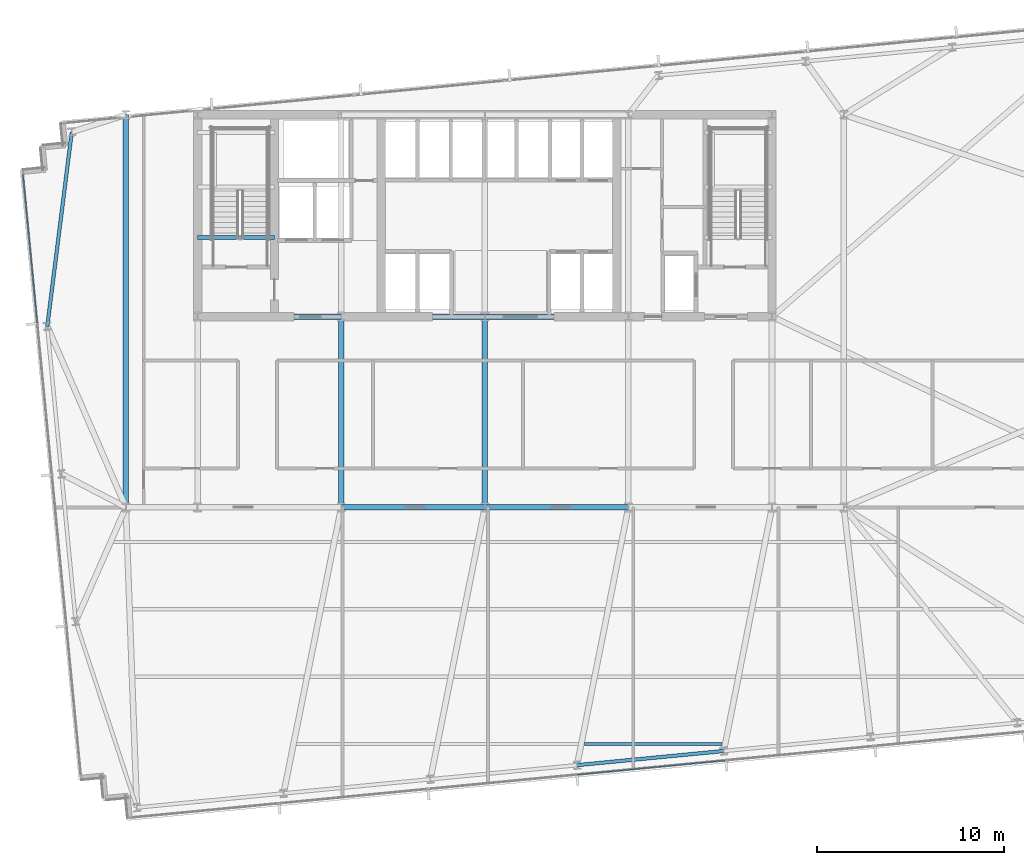
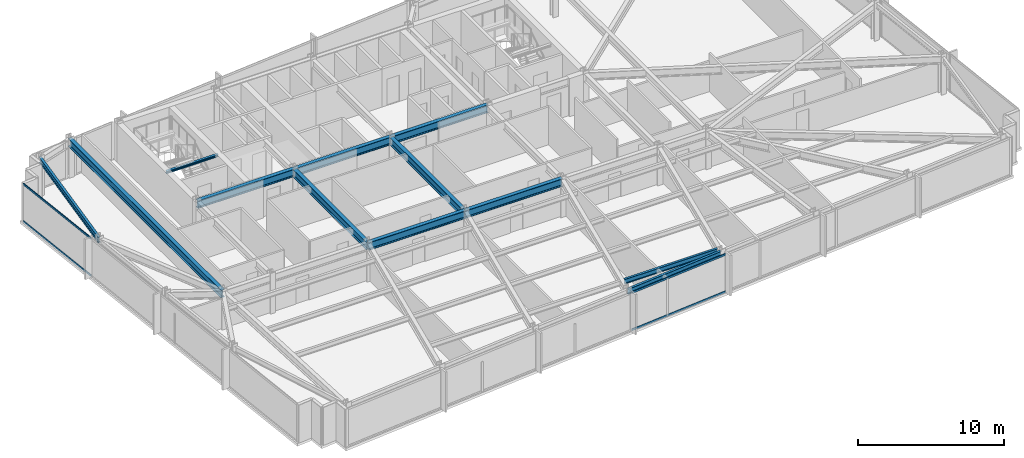
# One storey, part 9 of 32: 12 beams, 4 members, 2 elements without a shape of their own.
"""IFC4 building model written with IfcOpenShell, lengths in metres."""

from ifc_helpers import new_model, si_unit, direction, frame, origin, origin_2d, place, context, subcontext, project, spatial, hollow_rectangle, i_section, extrude, material, material_profile, profile_set, type_object, element, aggregate, save


model = new_model("IFC4")

# Units and contexts
model_context = context("Model", 3, precision=1e-05, world=origin(), true_north=direction((0.0, 1.0)))
body_context = subcontext(model_context, "Body", "Model", "MODEL_VIEW")
ifc_project = project(units=[si_unit("LENGTHUNIT", "METRE"), si_unit("AREAUNIT", "SQUARE_METRE"), si_unit("VOLUMEUNIT", "CUBIC_METRE"), si_unit("PLANEANGLEUNIT", "RADIAN"), si_unit("MASSUNIT", "GRAM", prefix="KILO")], contexts=[model_context])

# Site, building, storey
site_placement = place(None, origin())
site = spatial("IfcSite", under=ifc_project, at=site_placement, CompositionType="ELEMENT")
building_placement = place(site_placement, origin())
building = spatial("IfcBuilding", under=site, at=building_placement, Name="Yelkora Congress Tower", CompositionType="ELEMENT")
storey_placement = place(building_placement, frame((0.0, 0.0, 93.10009765625)))
storey = spatial("IfcBuildingStorey", under=building, at=storey_placement, Name="L24", CompositionType="ELEMENT", Elevation=93.10009765625)

# Beams
ifc_material_1 = material(Name="Steel S355J2", Category="steel")
ifc_material_profile_1 = material_profile(ifc_material_1, i_section(OverallWidth=0.300048828125, OverallDepth=0.64990234375, WebThickness=0.01611328125, FlangeThickness=0.031005859375, FilletRadius=0.027099609375, at=origin_2d()), Name="HEB 650")
ifc_profile_set_1 = profile_set([ifc_material_profile_1], Name="Steel S355J2")
beam_type_1 = type_object("IfcBeamType", Name="BM-GIRD-HEB650", PredefinedType="BEAM", material=ifc_profile_set_1)
beam_1_placement = place(storey_placement, frame((30.719970703125, 25.199951171875, 2.85498046875), z_axis=(1.0, 0.0, 0.0), x_axis=(0.0, 1.0, 0.0)))
element("IfcBeam", 1, at=beam_1_placement, inside=storey, type_object=beam_type_1, Name="L24 Spine Grid D Girder 3", PredefinedType="BEAM", context=body_context, shape_type="SweptSolid", body=[
    extrude(i_section(OverallWidth=0.300048828125, OverallDepth=0.64990234375, WebThickness=0.01611328125, FlangeThickness=0.031005859375, FilletRadius=0.027099609375, at=origin_2d()), origin(), (0.0, 0.0, 1.0), 7.679931640625),
])
beam_2_placement = place(storey_placement, frame((38.39990234375, 25.199951171875, 2.85498046875), z_axis=(1.0, 0.0, 0.0), x_axis=(0.0, 1.0, 0.0)))
element("IfcBeam", 2, at=beam_2_placement, inside=storey, type_object=beam_type_1, Name="L24 Spine Grid D Girder 4", PredefinedType="BEAM", context=body_context, shape_type="SweptSolid", body=[
    extrude(i_section(OverallWidth=0.300048828125, OverallDepth=0.64990234375, WebThickness=0.01611328125, FlangeThickness=0.031005859375, FilletRadius=0.027099609375, at=origin_2d()), origin(), (0.0, 0.0, 1.0), 7.68017578125),
])
for number, where, z_axis, x_axis, name in (
    (3, (23.0400390625, 35.39990234375, 2.85498046875), (1.0, 0.0, 0.0), (0.0, 1.0, 0.0), "L24 Core South Girder 1"),
    (4, (30.719970703125, 35.39990234375, 2.85498046875), (1.0, 0.0, 0.0), (0.0, 1.0, 0.0), "L24 Core South Girder 2"),
):
    element("IfcBeam", number, at=place(storey_placement, frame(where, z_axis=z_axis, x_axis=x_axis)), inside=storey, type_object=beam_type_1, Name=name, PredefinedType="BEAM", context=body_context, shape_type="SweptSolid", body=[
        extrude(i_section(OverallWidth=0.300048828125, OverallDepth=0.64990234375, WebThickness=0.01611328125, FlangeThickness=0.031005859375, FilletRadius=0.027099609375, at=origin_2d()), origin(), (0.0, 0.0, 1.0), 7.679931640625),
    ])
beam_3_placement = place(storey_placement, frame((38.39990234375, 35.39990234375, 2.85498046875), z_axis=(1.0, 0.0, 0.0), x_axis=(0.0, 1.0, 0.0)))
element("IfcBeam", 5, at=beam_3_placement, inside=storey, type_object=beam_type_1, Name="L24 Core South Girder 3", PredefinedType="BEAM", context=body_context, shape_type="SweptSolid", body=[
    extrude(i_section(OverallWidth=0.300048828125, OverallDepth=0.64990234375, WebThickness=0.01611328125, FlangeThickness=0.031005859375, FilletRadius=0.027099609375, at=origin_2d()), origin(), (0.0, 0.0, 1.0), 7.68017578125),
])
for number, where, z_axis, x_axis, name in (
    (6, (30.719970703125, 25.199951171875, 2.85498046875), (0.0, 1.0, 0.0), (-1.0, 0.0, 0.0), "L24 Core Tie Girder MC-D2"),
    (7, (38.39990234375, 25.199951171875, 2.85498046875), (0.0, 1.0, 0.0), (-1.0, 0.0, 0.0), "L24 Core Tie Girder MC-D3"),
):
    element("IfcBeam", number, at=place(storey_placement, frame(where, z_axis=z_axis, x_axis=x_axis)), inside=storey, type_object=beam_type_1, Name=name, PredefinedType="BEAM", context=body_context, shape_type="SweptSolid", body=[
        extrude(i_section(OverallWidth=0.300048828125, OverallDepth=0.64990234375, WebThickness=0.01611328125, FlangeThickness=0.031005859375, FilletRadius=0.027099609375, at=origin_2d()), origin(), (0.0, 0.0, 1.0), 10.199951171875),
    ])
beam_4_placement = place(storey_placement, frame((19.199951171875, 25.199951171875, 2.85498046875), z_axis=(0.0, 1.0, 0.0), x_axis=(-1.0, 0.0, 0.0)))
element("IfcBeam", 8, at=beam_4_placement, inside=storey, type_object=beam_type_1, Name="L24 Neck Flank Girder MC-F1", PredefinedType="BEAM", context=body_context, shape_type="SweptSolid", body=[
    extrude(i_section(OverallWidth=0.300048828125, OverallDepth=0.64990234375, WebThickness=0.01611328125, FlangeThickness=0.031005859375, FilletRadius=0.027099609375, at=origin_2d()), origin(), (0.0, 0.0, 1.0), 21.0),
])
ifc_material_profile_2 = material_profile(ifc_material_1, i_section(OverallWidth=0.179931640625, OverallDepth=0.39990234375, WebThickness=0.008544921875, FlangeThickness=0.013427734375, FilletRadius=0.02099609375, at=origin_2d()), Name="IPE 400")
ifc_profile_set_2 = profile_set([ifc_material_profile_2], Name="Steel S355J2")
beam_type_2 = type_object("IfcBeamType", Name="BM-JOIST-IPE400", PredefinedType="JOIST", material=ifc_profile_set_2)
beam_5_placement = place(storey_placement, frame((43.7197265625, 12.54443359375, 2.97998046875), z_axis=(1.0, 0.0, 0.0), x_axis=(0.0, 1.0, 0.0)))
element("IfcBeam", 9, at=beam_5_placement, inside=storey, type_object=beam_type_2, Name="L24 Composite Floor Joist 3", PredefinedType="JOIST", context=body_context, shape_type="SweptSolid", body=[
    extrude(i_section(OverallWidth=0.179931640625, OverallDepth=0.39990234375, WebThickness=0.008544921875, FlangeThickness=0.013427734375, FilletRadius=0.02099609375, at=origin_2d()), origin(), (0.0, 0.0, 1.0), 7.37841796875),
])
ifc_material_profile_3 = material_profile(ifc_material_1, i_section(OverallWidth=0.199951171875, OverallDepth=0.18994140625, WebThickness=0.006591796875, FlangeThickness=0.010009765625, FilletRadius=0.01806640625, at=origin_2d()), Name="HEA 200")
ifc_profile_set_3 = profile_set([ifc_material_profile_3], Name="Steel S355J2")
beam_type_3 = type_object("IfcBeamType", Name="BM-LAND-HEA200", PredefinedType="BEAM", material=ifc_profile_set_3)
beam_6_placement = place(storey_placement, frame((23.0400390625, 39.639892578125, 2.947265625), z_axis=(1.0, 0.0, 0.0), x_axis=(0.0, 1.0, 0.0)))
element("IfcBeam", 10, at=beam_6_placement, inside=storey, type_object=beam_type_3, Name="ST-01 L24 Floor Arrival Stringer Header Beam", PredefinedType="BEAM", context=body_context, shape_type="SweptSolid", body=[
    extrude(i_section(OverallWidth=0.199951171875, OverallDepth=0.18994140625, WebThickness=0.006591796875, FlangeThickness=0.010009765625, FilletRadius=0.01806640625, at=origin_2d()), origin(), (0.0, 0.0, 1.0), 4.10986328125),
])
ifc_material_profile_4 = material_profile(ifc_material_1, i_section(OverallWidth=0.18994140625, OverallDepth=0.449951171875, WebThickness=0.009521484375, FlangeThickness=0.0146484375, FilletRadius=0.02099609375, at=origin_2d()), Name="IPE 450")
ifc_profile_set_4 = profile_set([ifc_material_profile_4], Name="Steel S355J2")
beam_type_4 = type_object("IfcBeamType", Name="BM-SPAN-IPE450", PredefinedType="SPANDREL", material=ifc_profile_set_4)
beam_7_placement = place(storey_placement, frame((43.334228515625, 11.411865234375, 2.954833984375), z_axis=(0.995398529126, 0.09582154358, 0.0), x_axis=(-0.09582154358, 0.995398529126, 0.0)))
element("IfcBeam", 11, at=beam_7_placement, inside=storey, type_object=beam_type_4, Name="L24 Perimeter Beam 6", PredefinedType="SPANDREL", context=body_context, shape_type="SweptSolid", body=[
    extrude(i_section(OverallWidth=0.18994140625, OverallDepth=0.449951171875, WebThickness=0.009521484375, FlangeThickness=0.0146484375, FilletRadius=0.02099609375, at=origin_2d()), origin(), (0.0, 0.0, 1.0), 7.8857421875),
])
beam_8_placement = place(storey_placement, frame((16.306884765625, 45.27734375, 2.954833984375), z_axis=(-0.124952129665, -0.992162771571, 0.0), x_axis=(0.992162771571, -0.124952129665, 0.0)))
element("IfcBeam", 12, at=beam_8_placement, inside=storey, type_object=beam_type_4, Name="L24 Perimeter Beam 18", PredefinedType="SPANDREL", context=body_context, shape_type="SweptSolid", body=[
    extrude(i_section(OverallWidth=0.18994140625, OverallDepth=0.449951171875, WebThickness=0.009521484375, FlangeThickness=0.0146484375, FilletRadius=0.02099609375, at=origin_2d()), origin(), (0.0, 0.0, 1.0), 10.48046875),
])

# Curtain wall, members
ifc_material_2 = material(Name="Anodised aluminium and insulated glass", Category="aluminium")
curtain_wall_type = type_object("IfcCurtainWallType", Name="CW-SYS-B2", PredefinedType="NOTDEFINED", material=ifc_material_2)
curtain_wall_1_placement = place(storey_placement, origin())
curtain_wall_1 = element("IfcCurtainWall", 13, at=curtain_wall_1_placement, inside=storey, type_object=curtain_wall_type, Name="L24 Unitised Curtain Wall 5", PredefinedType="NOTDEFINED")
ifc_material_3 = material(Name="Anodised aluminium 6063-T6", Category="aluminium")
ifc_material_profile_5 = material_profile(ifc_material_3, hollow_rectangle(XDim=0.06494140625, YDim=0.159912109375, WallThickness=0.00390625, at=origin_2d()), Name="ALU 65x160x4")
ifc_profile_set_5 = profile_set([ifc_material_profile_5], Name="Anodised aluminium 6063-T6")
member_type = type_object("IfcMemberType", Name="MEM-TR-B2", PredefinedType="USERDEFINED", material=ifc_profile_set_5)
member_1_placement = place(storey_placement, frame((14.466796875, 35.06884765625, 0.032470703125), z_axis=(-0.095858482834, 0.995394972495, 0.0), x_axis=(-0.995394972495, -0.095858482834, 0.0)))
member_1 = element("IfcMember", 14, at=member_1_placement, type_object=member_type, Name="CW-B2 transom 4.1", ObjectType="TRANSOM", PredefinedType="USERDEFINED", context=body_context, shape_type="SweptSolid", body=[
    extrude(hollow_rectangle(XDim=0.06494140625, YDim=0.159912109375, WallThickness=0.00390625, at=origin_2d()), origin(), (0.0, 0.0, 1.0), 8.025146484375),
])
member_2_placement = place(storey_placement, frame((14.466796875, 35.06884765625, 3.1474609375), z_axis=(-0.095858482834, 0.995394972495, 0.0), x_axis=(-0.995394972495, -0.095858482834, 0.0)))
member_2 = element("IfcMember", 15, at=member_2_placement, type_object=member_type, Name="CW-B2 transom 4.2", ObjectType="TRANSOM", PredefinedType="USERDEFINED", context=body_context, shape_type="SweptSolid", body=[
    extrude(hollow_rectangle(XDim=0.06494140625, YDim=0.159912109375, WallThickness=0.00390625, at=origin_2d()), origin(), (0.0, 0.0, 1.0), 8.025146484375),
])
aggregate(curtain_wall_1, [member_1, member_2])

curtain_wall_2_placement = place(storey_placement, origin())
curtain_wall_2 = element("IfcCurtainWall", 16, at=curtain_wall_2_placement, inside=storey, type_object=curtain_wall_type, Name="L24 Unitised Curtain Wall 20", PredefinedType="NOTDEFINED")
member_3_placement = place(storey_placement, frame((51.255859375, 11.662353515625, 0.032470703125), z_axis=(-0.995394074338, -0.095867808848, 0.0), x_axis=(0.095867808848, -0.995394074338, 0.0)))
member_3 = element("IfcMember", 17, at=member_3_placement, type_object=member_type, Name="CW-B2 transom 4.1", ObjectType="TRANSOM", PredefinedType="USERDEFINED", context=body_context, shape_type="SweptSolid", body=[
    extrude(hollow_rectangle(XDim=0.06494140625, YDim=0.159912109375, WallThickness=0.00390625, at=origin_2d()), origin(), (0.0, 0.0, 1.0), 7.932861328125),
])
member_4_placement = place(storey_placement, frame((51.255859375, 11.662353515625, 3.1474609375), z_axis=(-0.995394074338, -0.095867808848, 0.0), x_axis=(0.095867808848, -0.995394074338, 0.0)))
member_4 = element("IfcMember", 18, at=member_4_placement, type_object=member_type, Name="CW-B2 transom 4.2", ObjectType="TRANSOM", PredefinedType="USERDEFINED", context=body_context, shape_type="SweptSolid", body=[
    extrude(hollow_rectangle(XDim=0.06494140625, YDim=0.159912109375, WallThickness=0.00390625, at=origin_2d()), origin(), (0.0, 0.0, 1.0), 7.932861328125),
])
aggregate(curtain_wall_2, [member_3, member_4])

save(model, "model.ifc")
